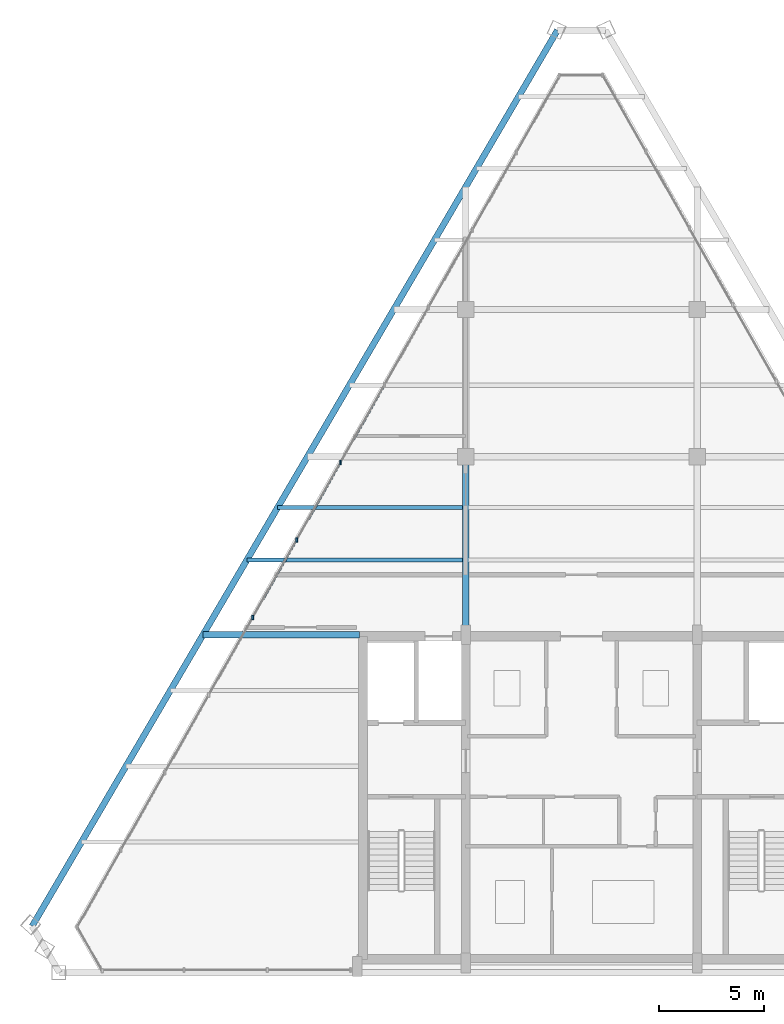
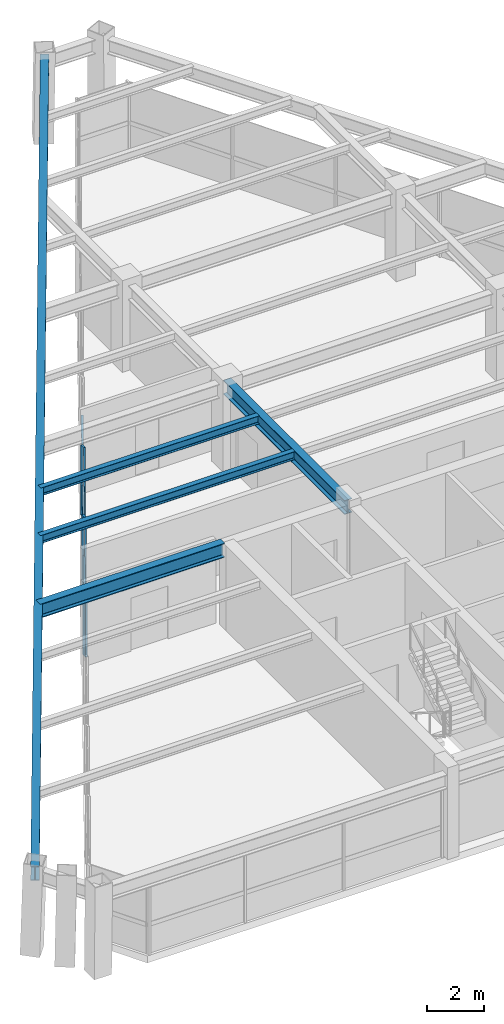
# One storey, part 4 of 12: 6 members, 5 beams, 1 element without a shape of its own.
"""IFC4 building model written with IfcOpenShell, lengths in metres."""

from ifc_helpers import new_model, si_unit, direction, frame, origin, origin_2d, place, context, subcontext, project, spatial, rectangle, i_section, extrude, source, transform, mapped, material, material_profile, profile_set, type_object, type_shapes, element, aggregate, save


model = new_model("IFC4")

# Units and contexts
model_context = context("Model", 3, precision=1e-05, world=origin(), true_north=direction((0.0, 1.0)))
body_context = subcontext(model_context, "Body", "Model", "MODEL_VIEW")
ifc_project = project(units=[si_unit("LENGTHUNIT", "METRE"), si_unit("AREAUNIT", "SQUARE_METRE"), si_unit("VOLUMEUNIT", "CUBIC_METRE"), si_unit("PLANEANGLEUNIT", "RADIAN"), si_unit("MASSUNIT", "GRAM", prefix="KILO")], contexts=[model_context])

# Site, building, storey
site_placement = place(None, origin())
site = spatial("IfcSite", under=ifc_project, at=site_placement, CompositionType="ELEMENT")
building_placement = place(site_placement, origin())
building = spatial("IfcBuilding", under=site, at=building_placement, Name="Varnakhor Terracotta Tower", CompositionType="ELEMENT")
storey_placement = place(building_placement, frame((0.0, 0.0, 313.60009765625)))
storey = spatial("IfcBuildingStorey", under=building, at=storey_placement, Name="L82 Crown", CompositionType="ELEMENT", Elevation=313.60009765625)

# Beams
ifc_material_1 = material(Name="Steel S355", Category="steel")
ifc_material_profile_1 = material_profile(ifc_material_1, i_section(OverallWidth=0.300048828125, OverallDepth=0.60009765625, WebThickness=0.015380859375, FlangeThickness=0.030029296875, FilletRadius=0.01806640625, at=origin_2d()), Name="HEB600")
ifc_profile_set_1 = profile_set([ifc_material_profile_1], Name="Steel S355")
beam_type_1 = type_object("IfcBeamType", Name="BM-HEB600", PredefinedType="BEAM", material=ifc_profile_set_1)
shared_shape_1 = source(origin(), body_context, "Body", "SweptSolid", [
    extrude(i_section(OverallWidth=0.300048828125, OverallDepth=0.60009765625, WebThickness=0.015380859375, FlangeThickness=0.030029296875, FilletRadius=0.01806640625, at=origin_2d()), origin(), (0.0, 0.0, 1.0), 8.449951171875),
])
beam_1_placement = place(storey_placement, frame((-5.5, 16.050048828125, 3.2998046875), z_axis=(0.0, 1.0, 0.0), x_axis=(-1.0, 0.0, 0.0)))
element("IfcBeam", 1, at=beam_1_placement, inside=storey, type_object=beam_type_1, Name="L82 Crown Primary Girder NS1-W", PredefinedType="BEAM", context=body_context, shape_type="MappedRepresentation", body=[
    mapped(shared_shape_1, transform((0.0, 0.0, 0.0), scale=1.0)),
])
shared_shape_2 = source(origin(), body_context, "Body", "SweptSolid", [
    extrude(i_section(OverallWidth=0.300048828125, OverallDepth=0.60009765625, WebThickness=0.015380859375, FlangeThickness=0.030029296875, FilletRadius=0.01806640625, at=origin_2d()), origin(), (0.0, 0.0, 1.0), 49.33447265625),
])
beam_2_placement = place(storey_placement, frame((-1.136474609375, 44.7646484375, 3.2998046875), z_axis=(-0.50581589098, -0.862641457636, 0.0), x_axis=(0.862641457636, -0.50581589098, 0.0)))
element("IfcBeam", 2, at=beam_2_placement, inside=storey, type_object=beam_type_1, Name="L82 Crown Perimeter Spandrel 6", PredefinedType="BEAM", context=body_context, shape_type="MappedRepresentation", body=[
    mapped(shared_shape_2, transform((0.0, 0.0, 0.0), scale=1.0)),
])
shared_shape_3 = source(origin(), body_context, "Body", "SweptSolid", [
    extrude(i_section(OverallWidth=0.300048828125, OverallDepth=0.60009765625, WebThickness=0.015380859375, FlangeThickness=0.030029296875, FilletRadius=0.01806640625, at=origin_2d()), origin(), (0.0, 0.0, 1.0), 7.42333984375),
])
beam_3_placement = place(storey_placement, frame((-17.973388671875, 16.050048828125, 3.2998046875), z_axis=(1.0, 0.0, 0.0), x_axis=(0.0, 1.0, 0.0)))
element("IfcBeam", 3, at=beam_3_placement, inside=storey, type_object=beam_type_1, Name="L82 Crown Wing Girder W", PredefinedType="BEAM", context=body_context, shape_type="MappedRepresentation", body=[
    mapped(shared_shape_3, transform((0.0, 0.0, 0.0), scale=1.0)),
])
ifc_material_profile_2 = material_profile(ifc_material_1, i_section(OverallWidth=0.202880859375, OverallDepth=0.346923828125, WebThickness=0.0078125, FlangeThickness=0.013427734375, FilletRadius=0.01806640625, at=origin_2d()), Name="W14X43")
ifc_profile_set_2 = profile_set([ifc_material_profile_2], Name="Steel S355")
beam_type_2 = type_object("IfcBeamType", Name="JST-W14X43", PredefinedType="JOIST", material=ifc_profile_set_2)
shared_shape_4 = source(origin(), body_context, "Body", "SweptSolid", [
    extrude(i_section(OverallWidth=0.202880859375, OverallDepth=0.346923828125, WebThickness=0.0078125, FlangeThickness=0.013427734375, FilletRadius=0.01806640625, at=origin_2d()), origin(), (0.0, 0.0, 1.0), 10.245849609375),
])
beam_4_placement = place(storey_placement, frame((-15.891845703125, 19.60009765625, 3.426513671875), z_axis=(1.0, 0.0, 0.0), x_axis=(0.0, 1.0, 0.0)))
element("IfcBeam", 4, at=beam_4_placement, inside=storey, type_object=beam_type_2, Name="L82 Crown Composite Floor Joist 4-1", PredefinedType="JOIST", context=body_context, shape_type="MappedRepresentation", body=[
    mapped(shared_shape_4, transform((0.0, 0.0, 0.0), scale=1.0)),
])
shared_shape_5 = source(origin(), body_context, "Body", "SweptSolid", [
    extrude(i_section(OverallWidth=0.202880859375, OverallDepth=0.346923828125, WebThickness=0.0078125, FlangeThickness=0.013427734375, FilletRadius=0.01806640625, at=origin_2d()), origin(), (0.0, 0.0, 1.0), 8.780029296875),
])
beam_5_placement = place(storey_placement, frame((-14.426025390625, 22.10009765625, 3.426513671875), z_axis=(1.0, 0.0, 0.0), x_axis=(0.0, 1.0, 0.0)))
element("IfcBeam", 5, at=beam_5_placement, inside=storey, type_object=beam_type_2, Name="L82 Crown Composite Floor Joist 5-1", PredefinedType="JOIST", context=body_context, shape_type="MappedRepresentation", body=[
    mapped(shared_shape_5, transform((0.0, 0.0, 0.0), scale=1.0)),
])

# Curtain wall, members
ifc_material_2 = material(Name="Anodised Aluminium Curtain Wall System", Category="aluminium")
curtain_wall_type = type_object("IfcCurtainWallType", Name="CW-SYS-CROWN", PredefinedType="NOTDEFINED", material=ifc_material_2)
curtain_wall_placement = place(storey_placement, origin())
curtain_wall = element("IfcCurtainWall", 6, at=curtain_wall_placement, inside=storey, type_object=curtain_wall_type, Name="L82 Crown Facet Curtain Wall 1", PredefinedType="NOTDEFINED")
ifc_material_3 = material(Name="Anodised Aluminium 6063-T6", Category="aluminium")
ifc_material_profile_3 = material_profile(ifc_material_3, rectangle(XDim=0.080078125, YDim=0.205078125, at=origin_2d()), Name="ALU MULLION 80x205")
ifc_profile_set_3 = profile_set([ifc_material_profile_3], Name="Anodised Aluminium 6063-T6")
member_type_1 = type_object("IfcMemberType", Name="CWM-06", PredefinedType="MULLION", material=ifc_profile_set_3)
shared_shape_6 = source(origin(), body_context, "Body", "SweptSolid", [
    extrude(rectangle(XDim=0.080078125, YDim=0.205078125, at=origin_2d()), origin(), (0.0, 0.0, 1.0), 2.97998046875),
])
type_shapes(member_type_1, [shared_shape_6])
member_1_placement = place(storey_placement, frame((-15.613037109375, 16.87109375, 0.0), z_axis=(0.0, 0.0, 1.0), x_axis=(1.0, 0.0, 0.0)))
member_1 = element("IfcMember", 7, at=member_1_placement, type_object=member_type_1, Name="L82 Crown Facet Curtain Wall 1 Mullion 5", PredefinedType="MULLION", context=body_context, shape_type="MappedRepresentation", body=[
    mapped(shared_shape_6, transform((0.0, 0.0, 0.0), scale=1.0)),
])
member_2_placement = place(storey_placement, frame((-13.52587890625, 20.552978515625, 0.0), z_axis=(0.0, 0.0, 1.0), x_axis=(1.0, 0.0, 0.0)))
member_2 = element("IfcMember", 8, at=member_2_placement, type_object=member_type_1, Name="L82 Crown Facet Curtain Wall 1 Mullion 6", PredefinedType="MULLION", context=body_context, shape_type="MappedRepresentation", body=[
    mapped(shared_shape_6, transform((0.0, 0.0, 0.0), scale=1.0)),
])
member_3_placement = place(storey_placement, frame((-11.4384765625, 24.235107421875, 0.0), z_axis=(0.0, 0.0, 1.0), x_axis=(1.0, 0.0, 0.0)))
member_3 = element("IfcMember", 9, at=member_3_placement, type_object=member_type_1, Name="L82 Crown Facet Curtain Wall 1 Mullion 7", PredefinedType="MULLION", context=body_context, shape_type="MappedRepresentation", body=[
    mapped(shared_shape_6, transform((0.0, 0.0, 0.0), scale=1.0)),
])
ifc_material_profile_4 = material_profile(ifc_material_3, rectangle(XDim=0.080078125, YDim=0.179931640625, at=origin_2d()), Name="ALU TRANSOM 80x180")
ifc_profile_set_4 = profile_set([ifc_material_profile_4], Name="Anodised Aluminium 6063-T6")
member_type_2 = type_object("IfcMemberType", Name="CWT-06", PredefinedType="USERDEFINED", material=ifc_profile_set_4)
shared_shape_7 = source(origin(), body_context, "Body", "SweptSolid", [
    extrude(rectangle(XDim=0.080078125, YDim=0.179931640625, at=origin_2d()), origin(), (0.0, 0.0, 1.0), 4.232666015625),
])
member_4_placement = place(storey_placement, frame((-13.52587890625, 20.552978515625, 1.25146484375), z_axis=(0.493166831222, 0.86993475421, 0.0), x_axis=(-0.86993475421, 0.493166831222, 0.0)))
member_4 = element("IfcMember", 10, at=member_4_placement, type_object=member_type_2, Name="L82 Crown Facet Curtain Wall 1 Transom 6", ObjectType="TRANSOM", PredefinedType="USERDEFINED", context=body_context, shape_type="MappedRepresentation", body=[
    mapped(shared_shape_7, transform((0.0, 0.0, 0.0), scale=1.0)),
])
shared_shape_8 = source(origin(), body_context, "Body", "SweptSolid", [
    extrude(rectangle(XDim=0.080078125, YDim=0.179931640625, at=origin_2d()), origin(), (0.0, 0.0, 1.0), 4.232421875),
])
member_5_placement = place(storey_placement, frame((-15.613037109375, 16.87109375, 1.25146484375), z_axis=(0.493147924111, 0.869945472397, 0.0), x_axis=(-0.869945472397, 0.493147924111, 0.0)))
member_5 = element("IfcMember", 11, at=member_5_placement, type_object=member_type_2, Name="L82 Crown Facet Curtain Wall 1 Transom 5", ObjectType="TRANSOM", PredefinedType="USERDEFINED", context=body_context, shape_type="MappedRepresentation", body=[
    mapped(shared_shape_8, transform((0.0, 0.0, 0.0), scale=1.0)),
])
member_6_placement = place(storey_placement, frame((-11.4384765625, 24.235107421875, 1.25146484375), z_axis=(0.493147924111, 0.869945472397, 0.0), x_axis=(-0.869945472397, 0.493147924111, 0.0)))
member_6 = element("IfcMember", 12, at=member_6_placement, type_object=member_type_2, Name="L82 Crown Facet Curtain Wall 1 Transom 7", ObjectType="TRANSOM", PredefinedType="USERDEFINED", context=body_context, shape_type="MappedRepresentation", body=[
    mapped(shared_shape_8, transform((0.0, 0.0, 0.0), scale=1.0)),
])
aggregate(curtain_wall, [member_1, member_5, member_2, member_4, member_3, member_6])

save(model, "model.ifc")
